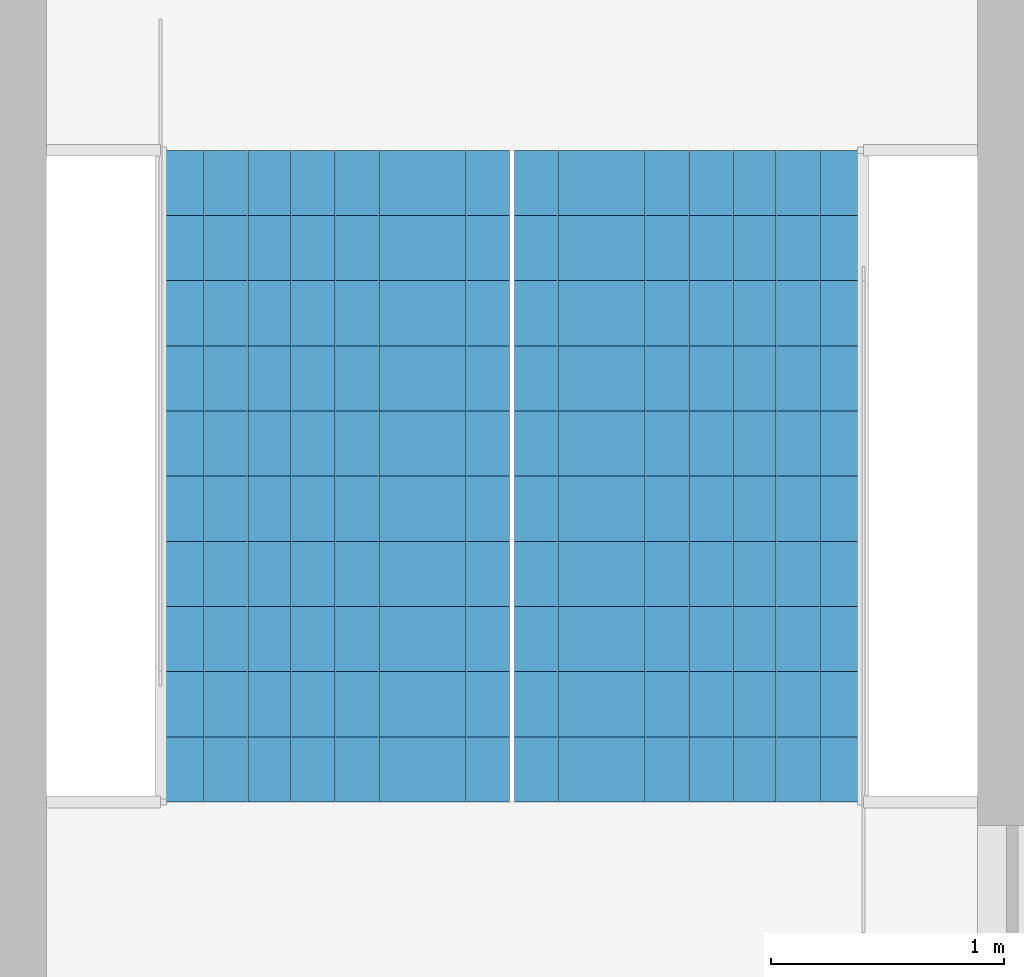
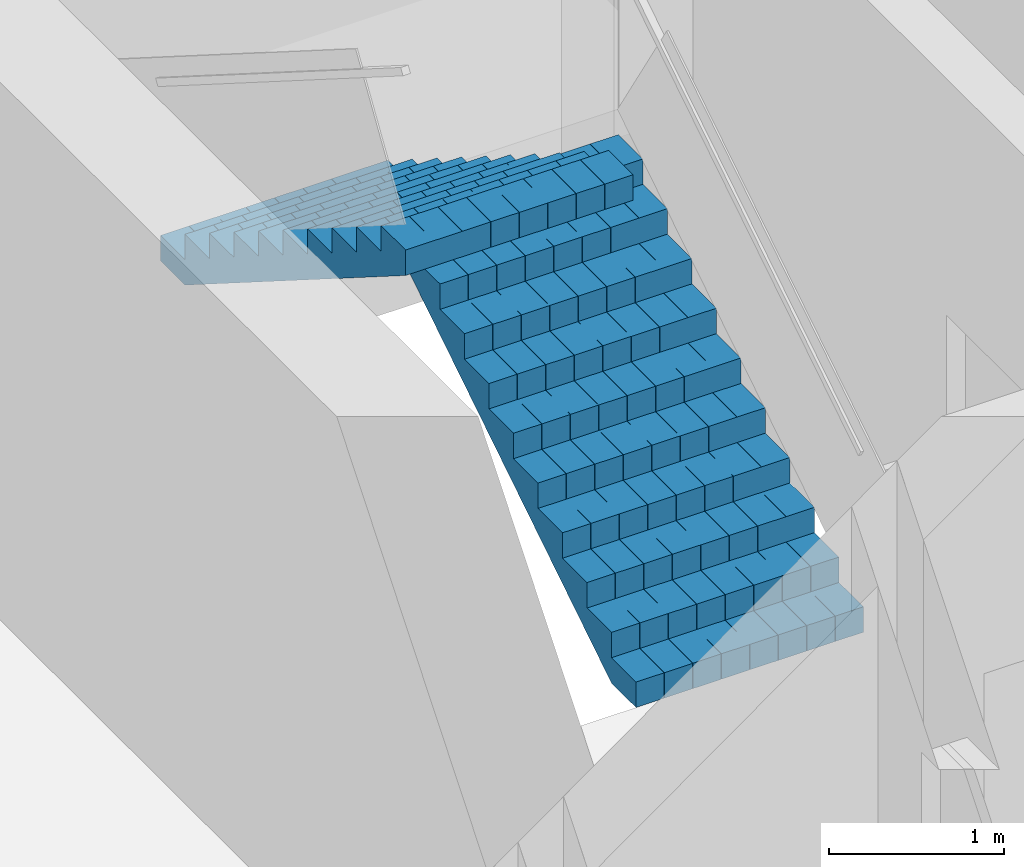
# One storey, part 13 of 15: 2 stair flights, 1 element without a shape of its own.
"""IFC4 building model written with IfcOpenShell, lengths in metres."""

from ifc_helpers import new_model, si_unit, direction, frame, origin, place, context, subcontext, project, spatial, polyline, outline, extrude, material, type_object, element, aggregate, save


model = new_model("IFC4")

# Units and contexts
model_context = context("Model", 3, precision=1e-05, world=origin(), true_north=direction((0.0, 1.0)))
body_context = subcontext(model_context, "Body", "Model", "MODEL_VIEW")
ifc_project = project(units=[si_unit("LENGTHUNIT", "METRE"), si_unit("AREAUNIT", "SQUARE_METRE"), si_unit("VOLUMEUNIT", "CUBIC_METRE"), si_unit("PLANEANGLEUNIT", "RADIAN"), si_unit("MASSUNIT", "GRAM", prefix="KILO")], contexts=[model_context])

# Site, building, storey
site_placement = place(None, origin())
site = spatial("IfcSite", under=ifc_project, at=site_placement, CompositionType="ELEMENT")
building_placement = place(site_placement, origin())
building = spatial("IfcBuilding", under=site, at=building_placement, Name="Kolab Exchange Tower", CompositionType="ELEMENT")
storey_placement = place(building_placement, frame((0.0, 0.0, 201.199951171875)))
storey = spatial("IfcBuildingStorey", under=building, at=storey_placement, Name="L43", CompositionType="ELEMENT", Elevation=201.199951171875)

# Stair, stair flights
ifc_material = material(Name="Concrete C50/60", Category="concrete")
stair_type = type_object("IfcStairType", Name="STAIR ST1 RISER 177.3", PredefinedType="HALF_TURN_STAIR", material=ifc_material)
stair_placement = place(storey_placement, origin())
stair = element("IfcStair", 1, at=stair_placement, inside=storey, type_object=stair_type, Name="Stair 1", PredefinedType="HALF_TURN_STAIR")
stair_flight_type = type_object("IfcStairFlightType", Name="STAIR FLIGHT 1500 RISER 177.3", PredefinedType="STRAIGHT", material=ifc_material)
stair_flight_1_placement = place(storey_placement, frame((-6.489990234375, 5.550048828125, 0.0), z_axis=(0.0, 0.0, 1.0), x_axis=(0.0, 1.0, 0.0)))
stair_flight_1 = element("IfcStairFlight", 2, at=stair_flight_1_placement, type_object=stair_flight_type, Name="ST1 flight 1", NumberOfRisers=11, NumberOfTreads=10, PredefinedType="STRAIGHT", RiserHeight=0.177272727, TreadLength=0.28, context=body_context, shape_type="SweptSolid", body=[
    extrude(outline(polyline([(0.0, 0.0), (0.0, 0.17724609375), (0.280029296875, 0.17724609375), (0.280029296875, 0.3544921875), (0.56005859375, 0.3544921875), (0.56005859375, 0.53173828125), (0.840087890625, 0.53173828125), (0.840087890625, 0.708984375), (1.1201171875, 0.708984375), (1.1201171875, 0.886474609375), (1.39990234375, 0.886474609375), (1.39990234375, 1.063720703125), (1.679931640625, 1.063720703125), (1.679931640625, 1.240966796875), (1.9599609375, 1.240966796875), (1.9599609375, 1.418212890625), (2.239990234375, 1.418212890625), (2.239990234375, 1.595458984375), (2.52001953125, 1.595458984375), (2.52001953125, 1.772705078125), (2.800048828125, 1.772705078125), (2.800048828125, 1.949951171875), (2.800048828125, 1.59521484375), (0.2802734375, 0.0), (0.0, 0.0)])), frame((0.0, 0.75, 0.0), z_axis=(0.0, -1.0, 0.0), x_axis=(1.0, 0.0, 0.0)), (0.0, 0.0, 1.0), 0.185791015625),
    extrude(outline(polyline([(0.0, 0.0), (0.0, 0.17724609375), (0.280029296875, 0.17724609375), (0.280029296875, 0.3544921875), (0.56005859375, 0.3544921875), (0.56005859375, 0.53173828125), (0.840087890625, 0.53173828125), (0.840087890625, 0.708984375), (1.1201171875, 0.708984375), (1.1201171875, 0.886474609375), (1.39990234375, 0.886474609375), (1.39990234375, 1.063720703125), (1.679931640625, 1.063720703125), (1.679931640625, 1.240966796875), (1.9599609375, 1.240966796875), (1.9599609375, 1.418212890625), (2.239990234375, 1.418212890625), (2.239990234375, 1.595458984375), (2.52001953125, 1.595458984375), (2.52001953125, 1.772705078125), (2.800048828125, 1.772705078125), (2.800048828125, 1.949951171875), (2.800048828125, 1.59521484375), (0.2802734375, 0.0), (0.0, 0.0)])), frame((0.0, 0.562255859375, 0.0), z_axis=(0.0, -1.0, 0.0), x_axis=(1.0, 0.0, 0.0)), (0.0, 0.0, 1.0), 0.185791015625),
    extrude(outline(polyline([(0.0, 0.0), (0.0, 0.17724609375), (0.280029296875, 0.17724609375), (0.280029296875, 0.3544921875), (0.56005859375, 0.3544921875), (0.56005859375, 0.53173828125), (0.840087890625, 0.53173828125), (0.840087890625, 0.708984375), (1.1201171875, 0.708984375), (1.1201171875, 0.886474609375), (1.39990234375, 0.886474609375), (1.39990234375, 1.063720703125), (1.679931640625, 1.063720703125), (1.679931640625, 1.240966796875), (1.9599609375, 1.240966796875), (1.9599609375, 1.418212890625), (2.239990234375, 1.418212890625), (2.239990234375, 1.595458984375), (2.52001953125, 1.595458984375), (2.52001953125, 1.772705078125), (2.800048828125, 1.772705078125), (2.800048828125, 1.949951171875), (2.800048828125, 1.59521484375), (0.2802734375, 0.0), (0.0, 0.0)])), frame((0.0, 0.37451171875, 0.0), z_axis=(0.0, -1.0, 0.0), x_axis=(1.0, 0.0, 0.0)), (0.0, 0.0, 1.0), 0.185791015625),
    extrude(outline(polyline([(0.0, 0.0), (0.0, 0.17724609375), (0.280029296875, 0.17724609375), (0.280029296875, 0.3544921875), (0.56005859375, 0.3544921875), (0.56005859375, 0.53173828125), (0.840087890625, 0.53173828125), (0.840087890625, 0.708984375), (1.1201171875, 0.708984375), (1.1201171875, 0.886474609375), (1.39990234375, 0.886474609375), (1.39990234375, 1.063720703125), (1.679931640625, 1.063720703125), (1.679931640625, 1.240966796875), (1.9599609375, 1.240966796875), (1.9599609375, 1.418212890625), (2.239990234375, 1.418212890625), (2.239990234375, 1.595458984375), (2.52001953125, 1.595458984375), (2.52001953125, 1.772705078125), (2.800048828125, 1.772705078125), (2.800048828125, 1.949951171875), (2.800048828125, 1.59521484375), (0.2802734375, 0.0), (0.0, 0.0)])), frame((0.0, 0.186767578125, 0.0), z_axis=(0.0, -1.0, 0.0), x_axis=(1.0, 0.0, 0.0)), (0.0, 0.0, 1.0), 0.185791015625),
    extrude(outline(polyline([(0.0, 0.0), (0.0, 0.17724609375), (0.280029296875, 0.17724609375), (0.280029296875, 0.3544921875), (0.56005859375, 0.3544921875), (0.56005859375, 0.53173828125), (0.840087890625, 0.53173828125), (0.840087890625, 0.708984375), (1.1201171875, 0.708984375), (1.1201171875, 0.886474609375), (1.39990234375, 0.886474609375), (1.39990234375, 1.063720703125), (1.679931640625, 1.063720703125), (1.679931640625, 1.240966796875), (1.9599609375, 1.240966796875), (1.9599609375, 1.418212890625), (2.239990234375, 1.418212890625), (2.239990234375, 1.595458984375), (2.52001953125, 1.595458984375), (2.52001953125, 1.772705078125), (2.800048828125, 1.772705078125), (2.800048828125, 1.949951171875), (2.800048828125, 1.59521484375), (0.2802734375, 0.0), (0.0, 0.0)])), frame((0.0, -0.0009765625, 0.0), z_axis=(0.0, -1.0, 0.0), x_axis=(1.0, 0.0, 0.0)), (0.0, 0.0, 1.0), 0.185791015625),
    extrude(outline(polyline([(0.0, 0.0), (0.0, 0.17724609375), (0.280029296875, 0.17724609375), (0.280029296875, 0.3544921875), (0.56005859375, 0.3544921875), (0.56005859375, 0.53173828125), (0.840087890625, 0.53173828125), (0.840087890625, 0.708984375), (1.1201171875, 0.708984375), (1.1201171875, 0.886474609375), (1.39990234375, 0.886474609375), (1.39990234375, 1.063720703125), (1.679931640625, 1.063720703125), (1.679931640625, 1.240966796875), (1.9599609375, 1.240966796875), (1.9599609375, 1.418212890625), (2.239990234375, 1.418212890625), (2.239990234375, 1.595458984375), (2.52001953125, 1.595458984375), (2.52001953125, 1.772705078125), (2.800048828125, 1.772705078125), (2.800048828125, 1.949951171875), (2.800048828125, 1.59521484375), (0.2802734375, 0.0), (0.0, 0.0)])), frame((0.0, -0.188720703125, 0.0), z_axis=(0.0, -1.0, 0.0), x_axis=(1.0, 0.0, 0.0)), (0.0, 0.0, 1.0), 0.185791015625),
    extrude(outline(polyline([(0.0, 0.0), (0.0, 0.17724609375), (0.280029296875, 0.17724609375), (0.280029296875, 0.3544921875), (0.56005859375, 0.3544921875), (0.56005859375, 0.53173828125), (0.840087890625, 0.53173828125), (0.840087890625, 0.708984375), (1.1201171875, 0.708984375), (1.1201171875, 0.886474609375), (1.39990234375, 0.886474609375), (1.39990234375, 1.063720703125), (1.679931640625, 1.063720703125), (1.679931640625, 1.240966796875), (1.9599609375, 1.240966796875), (1.9599609375, 1.418212890625), (2.239990234375, 1.418212890625), (2.239990234375, 1.595458984375), (2.52001953125, 1.595458984375), (2.52001953125, 1.772705078125), (2.800048828125, 1.772705078125), (2.800048828125, 1.949951171875), (2.800048828125, 1.59521484375), (0.2802734375, 0.0), (0.0, 0.0)])), frame((0.0, -0.37646484375, 0.0), z_axis=(0.0, -1.0, 0.0), x_axis=(1.0, 0.0, 0.0)), (0.0, 0.0, 1.0), 0.185791015625),
    extrude(outline(polyline([(0.0, 0.0), (0.0, 0.17724609375), (0.280029296875, 0.17724609375), (0.280029296875, 0.3544921875), (0.56005859375, 0.3544921875), (0.56005859375, 0.53173828125), (0.840087890625, 0.53173828125), (0.840087890625, 0.708984375), (1.1201171875, 0.708984375), (1.1201171875, 0.886474609375), (1.39990234375, 0.886474609375), (1.39990234375, 1.063720703125), (1.679931640625, 1.063720703125), (1.679931640625, 1.240966796875), (1.9599609375, 1.240966796875), (1.9599609375, 1.418212890625), (2.239990234375, 1.418212890625), (2.239990234375, 1.595458984375), (2.52001953125, 1.595458984375), (2.52001953125, 1.772705078125), (2.800048828125, 1.772705078125), (2.800048828125, 1.949951171875), (2.800048828125, 1.59521484375), (0.2802734375, 0.0), (0.0, 0.0)])), frame((0.0, -0.564208984375, 0.0), z_axis=(0.0, -1.0, 0.0), x_axis=(1.0, 0.0, 0.0)), (0.0, 0.0, 1.0), 0.185791015625),
])
stair_flight_2_placement = place(storey_placement, frame((-8.010009765625, 8.35009765625, 1.949951171875), z_axis=(0.0, 0.0, 1.0), x_axis=(0.0, -1.0, 0.0)))
stair_flight_2 = element("IfcStairFlight", 3, at=stair_flight_2_placement, type_object=stair_flight_type, Name="ST1 flight 2", NumberOfRisers=11, NumberOfTreads=10, PredefinedType="STRAIGHT", RiserHeight=0.177272727, TreadLength=0.28, context=body_context, shape_type="SweptSolid", body=[
    extrude(outline(polyline([(0.0, 0.0), (0.0, 0.17724609375), (0.280029296875, 0.17724609375), (0.280029296875, 0.3544921875), (0.56005859375, 0.3544921875), (0.56005859375, 0.53173828125), (0.840087890625, 0.53173828125), (0.840087890625, 0.708984375), (1.1201171875, 0.708984375), (1.1201171875, 0.886474609375), (1.39990234375, 0.886474609375), (1.39990234375, 1.063720703125), (1.679931640625, 1.063720703125), (1.679931640625, 1.240966796875), (1.9599609375, 1.240966796875), (1.9599609375, 1.418212890625), (2.239990234375, 1.418212890625), (2.239990234375, 1.595458984375), (2.52001953125, 1.595458984375), (2.52001953125, 1.772705078125), (2.800048828125, 1.772705078125), (2.800048828125, 1.949951171875), (2.800048828125, 1.59521484375), (0.2802734375, 0.0), (0.0, 0.0)])), frame((0.0, 0.75, 0.0), z_axis=(0.0, -1.0, 0.0), x_axis=(1.0, 0.0, 0.0)), (0.0, 0.0, 1.0), 0.185791015625),
    extrude(outline(polyline([(0.0, 0.0), (0.0, 0.17724609375), (0.280029296875, 0.17724609375), (0.280029296875, 0.3544921875), (0.56005859375, 0.3544921875), (0.56005859375, 0.53173828125), (0.840087890625, 0.53173828125), (0.840087890625, 0.708984375), (1.1201171875, 0.708984375), (1.1201171875, 0.886474609375), (1.39990234375, 0.886474609375), (1.39990234375, 1.063720703125), (1.679931640625, 1.063720703125), (1.679931640625, 1.240966796875), (1.9599609375, 1.240966796875), (1.9599609375, 1.418212890625), (2.239990234375, 1.418212890625), (2.239990234375, 1.595458984375), (2.52001953125, 1.595458984375), (2.52001953125, 1.772705078125), (2.800048828125, 1.772705078125), (2.800048828125, 1.949951171875), (2.800048828125, 1.59521484375), (0.2802734375, 0.0), (0.0, 0.0)])), frame((0.0, 0.562255859375, 0.0), z_axis=(0.0, -1.0, 0.0), x_axis=(1.0, 0.0, 0.0)), (0.0, 0.0, 1.0), 0.185791015625),
    extrude(outline(polyline([(0.0, 0.0), (0.0, 0.17724609375), (0.280029296875, 0.17724609375), (0.280029296875, 0.3544921875), (0.56005859375, 0.3544921875), (0.56005859375, 0.53173828125), (0.840087890625, 0.53173828125), (0.840087890625, 0.708984375), (1.1201171875, 0.708984375), (1.1201171875, 0.886474609375), (1.39990234375, 0.886474609375), (1.39990234375, 1.063720703125), (1.679931640625, 1.063720703125), (1.679931640625, 1.240966796875), (1.9599609375, 1.240966796875), (1.9599609375, 1.418212890625), (2.239990234375, 1.418212890625), (2.239990234375, 1.595458984375), (2.52001953125, 1.595458984375), (2.52001953125, 1.772705078125), (2.800048828125, 1.772705078125), (2.800048828125, 1.949951171875), (2.800048828125, 1.59521484375), (0.2802734375, 0.0), (0.0, 0.0)])), frame((0.0, 0.37451171875, 0.0), z_axis=(0.0, -1.0, 0.0), x_axis=(1.0, 0.0, 0.0)), (0.0, 0.0, 1.0), 0.185791015625),
    extrude(outline(polyline([(0.0, 0.0), (0.0, 0.17724609375), (0.280029296875, 0.17724609375), (0.280029296875, 0.3544921875), (0.56005859375, 0.3544921875), (0.56005859375, 0.53173828125), (0.840087890625, 0.53173828125), (0.840087890625, 0.708984375), (1.1201171875, 0.708984375), (1.1201171875, 0.886474609375), (1.39990234375, 0.886474609375), (1.39990234375, 1.063720703125), (1.679931640625, 1.063720703125), (1.679931640625, 1.240966796875), (1.9599609375, 1.240966796875), (1.9599609375, 1.418212890625), (2.239990234375, 1.418212890625), (2.239990234375, 1.595458984375), (2.52001953125, 1.595458984375), (2.52001953125, 1.772705078125), (2.800048828125, 1.772705078125), (2.800048828125, 1.949951171875), (2.800048828125, 1.59521484375), (0.2802734375, 0.0), (0.0, 0.0)])), frame((0.0, 0.186767578125, 0.0), z_axis=(0.0, -1.0, 0.0), x_axis=(1.0, 0.0, 0.0)), (0.0, 0.0, 1.0), 0.185791015625),
    extrude(outline(polyline([(0.0, 0.0), (0.0, 0.17724609375), (0.280029296875, 0.17724609375), (0.280029296875, 0.3544921875), (0.56005859375, 0.3544921875), (0.56005859375, 0.53173828125), (0.840087890625, 0.53173828125), (0.840087890625, 0.708984375), (1.1201171875, 0.708984375), (1.1201171875, 0.886474609375), (1.39990234375, 0.886474609375), (1.39990234375, 1.063720703125), (1.679931640625, 1.063720703125), (1.679931640625, 1.240966796875), (1.9599609375, 1.240966796875), (1.9599609375, 1.418212890625), (2.239990234375, 1.418212890625), (2.239990234375, 1.595458984375), (2.52001953125, 1.595458984375), (2.52001953125, 1.772705078125), (2.800048828125, 1.772705078125), (2.800048828125, 1.949951171875), (2.800048828125, 1.59521484375), (0.2802734375, 0.0), (0.0, 0.0)])), frame((0.0, -0.0009765625, 0.0), z_axis=(0.0, -1.0, 0.0), x_axis=(1.0, 0.0, 0.0)), (0.0, 0.0, 1.0), 0.185791015625),
    extrude(outline(polyline([(0.0, 0.0), (0.0, 0.17724609375), (0.280029296875, 0.17724609375), (0.280029296875, 0.3544921875), (0.56005859375, 0.3544921875), (0.56005859375, 0.53173828125), (0.840087890625, 0.53173828125), (0.840087890625, 0.708984375), (1.1201171875, 0.708984375), (1.1201171875, 0.886474609375), (1.39990234375, 0.886474609375), (1.39990234375, 1.063720703125), (1.679931640625, 1.063720703125), (1.679931640625, 1.240966796875), (1.9599609375, 1.240966796875), (1.9599609375, 1.418212890625), (2.239990234375, 1.418212890625), (2.239990234375, 1.595458984375), (2.52001953125, 1.595458984375), (2.52001953125, 1.772705078125), (2.800048828125, 1.772705078125), (2.800048828125, 1.949951171875), (2.800048828125, 1.59521484375), (0.2802734375, 0.0), (0.0, 0.0)])), frame((0.0, -0.188720703125, 0.0), z_axis=(0.0, -1.0, 0.0), x_axis=(1.0, 0.0, 0.0)), (0.0, 0.0, 1.0), 0.185791015625),
    extrude(outline(polyline([(0.0, 0.0), (0.0, 0.17724609375), (0.280029296875, 0.17724609375), (0.280029296875, 0.3544921875), (0.56005859375, 0.3544921875), (0.56005859375, 0.53173828125), (0.840087890625, 0.53173828125), (0.840087890625, 0.708984375), (1.1201171875, 0.708984375), (1.1201171875, 0.886474609375), (1.39990234375, 0.886474609375), (1.39990234375, 1.063720703125), (1.679931640625, 1.063720703125), (1.679931640625, 1.240966796875), (1.9599609375, 1.240966796875), (1.9599609375, 1.418212890625), (2.239990234375, 1.418212890625), (2.239990234375, 1.595458984375), (2.52001953125, 1.595458984375), (2.52001953125, 1.772705078125), (2.800048828125, 1.772705078125), (2.800048828125, 1.949951171875), (2.800048828125, 1.59521484375), (0.2802734375, 0.0), (0.0, 0.0)])), frame((0.0, -0.37646484375, 0.0), z_axis=(0.0, -1.0, 0.0), x_axis=(1.0, 0.0, 0.0)), (0.0, 0.0, 1.0), 0.185791015625),
    extrude(outline(polyline([(0.0, 0.0), (0.0, 0.17724609375), (0.280029296875, 0.17724609375), (0.280029296875, 0.3544921875), (0.56005859375, 0.3544921875), (0.56005859375, 0.53173828125), (0.840087890625, 0.53173828125), (0.840087890625, 0.708984375), (1.1201171875, 0.708984375), (1.1201171875, 0.886474609375), (1.39990234375, 0.886474609375), (1.39990234375, 1.063720703125), (1.679931640625, 1.063720703125), (1.679931640625, 1.240966796875), (1.9599609375, 1.240966796875), (1.9599609375, 1.418212890625), (2.239990234375, 1.418212890625), (2.239990234375, 1.595458984375), (2.52001953125, 1.595458984375), (2.52001953125, 1.772705078125), (2.800048828125, 1.772705078125), (2.800048828125, 1.949951171875), (2.800048828125, 1.59521484375), (0.2802734375, 0.0), (0.0, 0.0)])), frame((0.0, -0.564208984375, 0.0), z_axis=(0.0, -1.0, 0.0), x_axis=(1.0, 0.0, 0.0)), (0.0, 0.0, 1.0), 0.185791015625),
])
aggregate(stair, [stair_flight_1, stair_flight_2])

save(model, "model.ifc")
